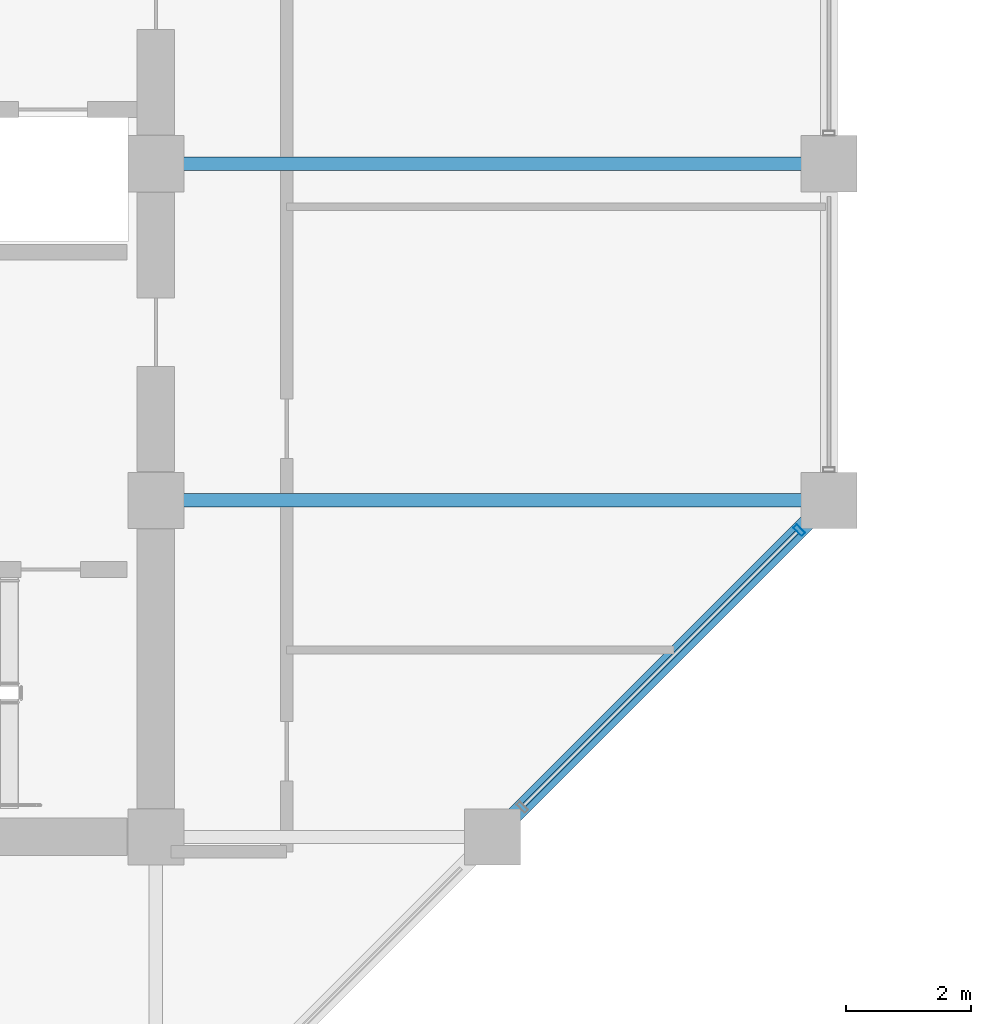
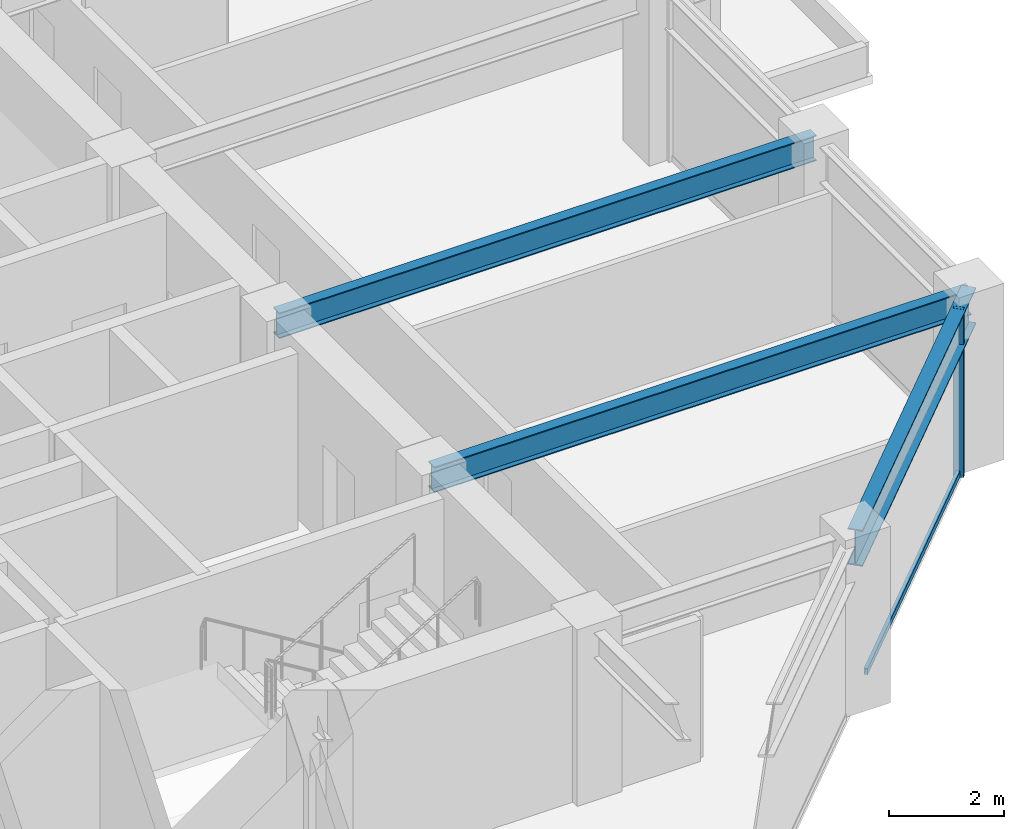
# One storey, part 10 of 28: 3 beams, 2 members, 1 element without a shape of its own.
"""IFC4 building model written with IfcOpenShell, lengths in metres."""

from ifc_helpers import new_model, si_unit, direction, frame, origin, origin_2d, place, context, subcontext, project, spatial, hollow_rectangle, i_section, extrude, material, layer, layer_set, material_profile, profile_set, type_object, element, aggregate, save


model = new_model("IFC4")

# Units and contexts
model_context = context("Model", 3, precision=1e-05, world=origin(), true_north=direction((0.0, 1.0)))
body_context = subcontext(model_context, "Body", "Model", "MODEL_VIEW")
ifc_project = project(units=[si_unit("LENGTHUNIT", "METRE"), si_unit("AREAUNIT", "SQUARE_METRE"), si_unit("VOLUMEUNIT", "CUBIC_METRE"), si_unit("PLANEANGLEUNIT", "RADIAN"), si_unit("MASSUNIT", "GRAM", prefix="KILO")], contexts=[model_context])

# Site, building, storey
site_placement = place(None, origin())
site = spatial("IfcSite", under=ifc_project, at=site_placement, CompositionType="ELEMENT")
building_placement = place(site_placement, origin())
building = spatial("IfcBuilding", under=site, at=building_placement, Name="Surkhivell Harbour Commons", CompositionType="ELEMENT")
storey_placement = place(building_placement, frame((0.0, 0.0, 182.25)))
storey = spatial("IfcBuildingStorey", under=building, at=storey_placement, Name="L47", CompositionType="ELEMENT", Elevation=182.25)

# Beams
ifc_material_1 = material(Name="Steel S355", Category="steel")
ifc_material_profile_1 = material_profile(ifc_material_1, i_section(OverallWidth=0.2119140625, OverallDepth=0.5439453125, WebThickness=0.0126953125, FlangeThickness=0.021240234375, at=origin_2d()), Name="UB533x210x122")
ifc_profile_set_1 = profile_set([ifc_material_profile_1], Name="Steel S355")
beam_type_1 = type_object("IfcBeamType", Name="BM-GRD-533A", PredefinedType="BEAM", material=ifc_profile_set_1)
for number, where, z_axis, x_axis, name in (
    (1, (10.800048828125, -5.39990234375, 3.298095703125), (1.0, 0.0, 0.0), (0.0, 1.0, 0.0), "L47 Floor Girder (10.8,-5.4)"),
    (2, (10.800048828125, 0.0, 3.298095703125), (1.0, 0.0, 0.0), (0.0, 1.0, 0.0), "L47 Floor Girder (10.8,0.0)"),
):
    element("IfcBeam", number, at=place(storey_placement, frame(where, z_axis=z_axis, x_axis=x_axis)), inside=storey, type_object=beam_type_1, Name=name, PredefinedType="BEAM", context=body_context, shape_type="SweptSolid", body=[
        extrude(i_section(OverallWidth=0.2119140625, OverallDepth=0.5439453125, WebThickness=0.0126953125, FlangeThickness=0.021240234375, at=origin_2d()), origin(), (0.0, 0.0, 1.0), 10.800048828125),
    ])
ifc_material_profile_2 = material_profile(ifc_material_1, i_section(OverallWidth=0.26806640625, OverallDepth=0.77001953125, WebThickness=0.015625, FlangeThickness=0.025390625, at=origin_2d()), Name="UB762x267x197")
ifc_profile_set_2 = profile_set([ifc_material_profile_2], Name="Steel S355")
beam_type_2 = type_object("IfcBeamType", Name="BM-SPN-762", PredefinedType="SPANDREL", material=ifc_profile_set_2)
beam_placement = place(storey_placement, frame((16.199951171875, -10.800048828125, 3.18505859375), z_axis=(0.707106781187, 0.707106781187, 0.0), x_axis=(-0.707106781187, 0.707106781187, 0.0)))
element("IfcBeam", 3, at=beam_placement, inside=storey, type_object=beam_type_2, Name="L47 Tube Spandrel (16.2,-10.8)", PredefinedType="SPANDREL", context=body_context, shape_type="SweptSolid", body=[
    extrude(i_section(OverallWidth=0.26806640625, OverallDepth=0.77001953125, WebThickness=0.015625, FlangeThickness=0.025390625, at=origin_2d()), origin(), (0.0, 0.0, 1.0), 7.636962890625),
])

# Curtain wall, members
ifc_material_2 = material(Name="Anodised pale-metal aluminium and insulated glazing", Category="aluminium")
ifc_layer = layer(ifc_material_2, 0.18994140625)
ifc_layer_set = layer_set([ifc_layer], Name="Anodised pale-metal aluminium and insulated glazing")
curtain_wall_type = type_object("IfcCurtainWallType", Name="CW-SYS-Z3", PredefinedType="NOTDEFINED", material=ifc_layer_set)
curtain_wall_placement = place(storey_placement, origin())
curtain_wall = element("IfcCurtainWall", 4, at=curtain_wall_placement, inside=storey, type_object=curtain_wall_type, Name="L47 Curtain Wall CW-L47-E01", PredefinedType="NOTDEFINED")
ifc_material_3 = material(Name="Anodised pale-metal aluminium alloy 6063-T6", Category="aluminium")
ifc_material_profile_3 = material_profile(ifc_material_3, hollow_rectangle(XDim=0.074951171875, YDim=0.18994140625, WallThickness=0.00390625, at=origin_2d()), Name="ALU-MULL-75x190")
ifc_profile_set_3 = profile_set([ifc_material_profile_3], Name="Anodised pale-metal aluminium alloy 6063-T6")
member_type_1 = type_object("IfcMemberType", Name="CWM-190", PredefinedType="MULLION", material=ifc_profile_set_3)
member_1_placement = place(storey_placement, frame((21.121826171875, -5.878173828125, 0.0), z_axis=(0.0, 0.0, 1.0), x_axis=(0.707106781187, 0.707106781187, 0.0)))
member_1 = element("IfcMember", 5, at=member_1_placement, type_object=member_type_1, Name="CW-Z3 mullion 4", PredefinedType="MULLION", context=body_context, shape_type="SweptSolid", body=[
    extrude(hollow_rectangle(XDim=0.074951171875, YDim=0.18994140625, WallThickness=0.00390625, at=origin_2d()), origin(), (0.0, 0.0, 1.0), 3.570068359375),
])
ifc_material_4 = material(Name="Champagne anodised aluminium alloy 6063-T6", Category="aluminium")
ifc_material_profile_4 = material_profile(ifc_material_4, hollow_rectangle(XDim=0.070068359375, YDim=0.1298828125, WallThickness=0.00341796875, at=origin_2d()), Name="ALU-TRAN-70x130")
ifc_profile_set_4 = profile_set([ifc_material_profile_4], Name="Champagne anodised aluminium alloy 6063-T6")
member_type_2 = type_object("IfcMemberType", Name="CWT-130", PredefinedType="USERDEFINED", material=ifc_profile_set_4)
member_2_placement = place(storey_placement, frame((16.70458984375, -10.29541015625, 0.06494140625), z_axis=(0.707106781187, 0.707106781187, 0.0), x_axis=(-0.707106781187, 0.707106781187, 0.0)))
member_2 = element("IfcMember", 6, at=member_2_placement, type_object=member_type_2, Name="CW-Z3 transom 3.1", ObjectType="TRANSOM", PredefinedType="USERDEFINED", context=body_context, shape_type="SweptSolid", body=[
    extrude(hollow_rectangle(XDim=0.070068359375, YDim=0.1298828125, WallThickness=0.00341796875, at=origin_2d()), origin(), (0.0, 0.0, 1.0), 6.209228515625),
])
aggregate(curtain_wall, [member_1, member_2])

save(model, "model.ifc")
